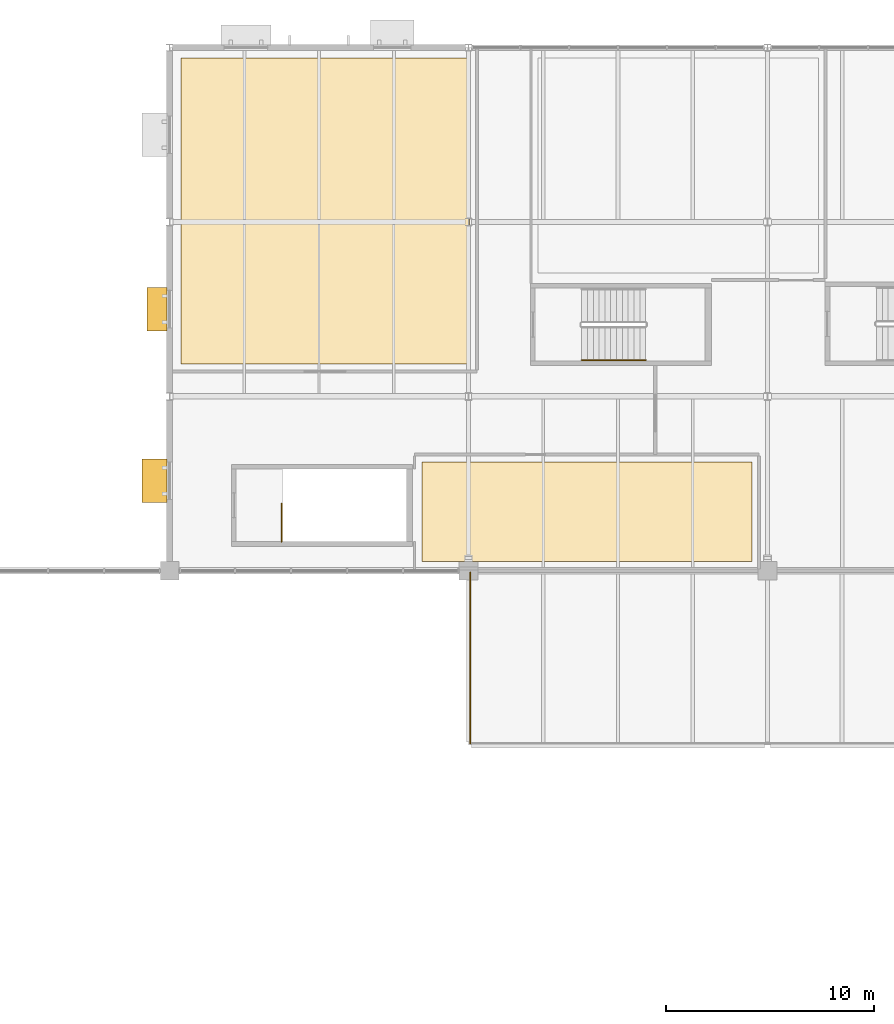
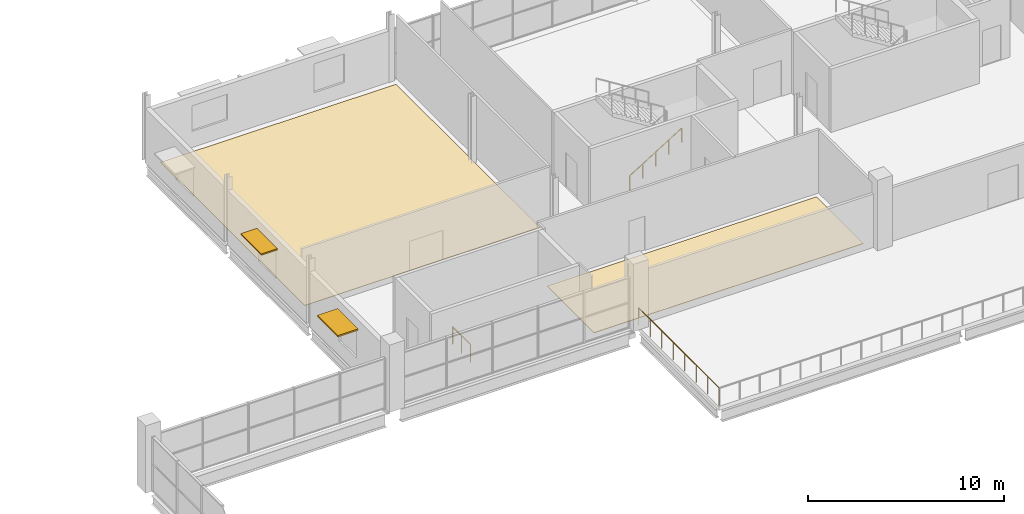
# One storey, part 88 of 93: 3 railings, 2 coverings, 2 shading devices.
"""IFC4 building model written with IfcOpenShell, lengths in metres."""

from ifc_helpers import new_model, si_unit, direction, frame, origin, origin_2d, place, context, subcontext, project, spatial, polyline, rectangle, circle, outline, extrude, material, layer, layer_set, type_object, element, save


model = new_model("IFC4")

# Units and contexts
model_context = context("Model", 3, precision=1e-05, world=origin(), true_north=direction((0.0, 1.0)))
body_context = subcontext(model_context, "Body", "Model", "MODEL_VIEW")
ifc_project = project(units=[si_unit("LENGTHUNIT", "METRE"), si_unit("AREAUNIT", "SQUARE_METRE"), si_unit("VOLUMEUNIT", "CUBIC_METRE"), si_unit("PLANEANGLEUNIT", "RADIAN"), si_unit("MASSUNIT", "GRAM", prefix="KILO"), si_unit("THERMODYNAMICTEMPERATUREUNIT", "KELVIN")], contexts=[model_context])

# Site, building, storey
site_placement = place(None, origin())
site = spatial("IfcSite", under=ifc_project, at=site_placement, CompositionType="ELEMENT")
building_placement = place(site_placement, origin())
building = spatial("IfcBuilding", under=site, at=building_placement, Name="Nduvali Passage Aquatics Centre", CompositionType="ELEMENT")
storey_placement = place(building_placement, frame((0.0, 0.0, 9.0)))
storey = spatial("IfcBuildingStorey", under=building, at=storey_placement, Name="L02", CompositionType="ELEMENT", Elevation=9.0)

# Shading devices
ifc_material_1 = material(Name="Aluminium EN AW-6063 T6", Category="aluminium")
ifc_layer_1 = layer(ifc_material_1, 0.090087890625, Name="Aluminium EN AW-6063 T6")
ifc_layer_set_1 = layer_set([ifc_layer_1], Name="Aluminium EN AW-6063 T6")
shading_device_type_1 = type_object("IfcShadingDeviceType", Name="ENV-SHD-SUN1", PredefinedType="AWNING", material=ifc_layer_set_1)
shading_device_1_placement = place(storey_placement, frame((38.8701171875, 96.737060546875, 2.7548828125), z_axis=(0.0, 0.0, 1.0), x_axis=(0.0, -1.0, 0.0)))
element("IfcShadingDevice", 1, at=shading_device_1_placement, inside=storey, type_object=shading_device_type_1, Name="L02 Horizontal Monsoon Sunshade 0109", PredefinedType="AWNING", context=body_context, shape_type="SweptSolid", body=[
    extrude(rectangle(XDim=2.10009765625, YDim=1.199951171875, at=origin_2d()), origin(), (0.0, 0.0, 1.0), 0.090087890625),
])
ifc_layer_2 = layer(ifc_material_1, 0.080078125, Name="Aluminium EN AW-6063 T6")
ifc_layer_set_2 = layer_set([ifc_layer_2], Name="Aluminium EN AW-6063 T6")
shading_device_type_2 = type_object("IfcShadingDeviceType", Name="ENV-SHD-SUN2", PredefinedType="AWNING", material=ifc_layer_set_2)
shading_device_2_placement = place(storey_placement, frame((38.9951171875, 105.001953125, 2.760009765625), z_axis=(0.0, 0.0, 1.0), x_axis=(0.0, -1.0, 0.0)))
element("IfcShadingDevice", 2, at=shading_device_2_placement, inside=storey, type_object=shading_device_type_2, Name="L02 Horizontal Monsoon Sunshade 0110", PredefinedType="AWNING", context=body_context, shape_type="SweptSolid", body=[
    extrude(rectangle(XDim=2.10009765625, YDim=0.949951171875, at=origin_2d()), origin(), (0.0, 0.0, 1.0), 0.080078125),
])

# Coverings
ifc_material_2 = material(Name="Polished coral-aggregate terrazzo")
ifc_layer_3 = layer(ifc_material_2, 0.030029296875, Name="Polished coral-aggregate terrazzo")
ifc_layer_set_3 = layer_set([ifc_layer_3], Name="Polished coral-aggregate terrazzo")
covering_type = type_object("IfcCoveringType", Name="INT-COV-TERRAZZO", PredefinedType="FLOORING", material=ifc_layer_set_3)
covering_1_placement = place(storey_placement, origin())
element("IfcCovering", 3, at=covering_1_placement, inside=storey, type_object=covering_type, Name="L02 Group Exercise and Aerobics Studio 1 Floor Finish", PredefinedType="FLOORING", context=body_context, shape_type="SweptSolid", body=[
    extrude(outline(polyline([(40.14990234375, 102.35009765625), (54.050048828125, 102.35009765625), (54.050048828125, 117.090087890625), (40.14990234375, 117.090087890625), (40.14990234375, 102.35009765625)])), origin(), (0.0, 0.0, 1.0), 0.030029296875),
])
covering_2_placement = place(storey_placement, origin())
element("IfcCovering", 4, at=covering_2_placement, inside=storey, type_object=covering_type, Name="L02 Mind-Body Pilates and Yoga Studio Floor Finish", PredefinedType="FLOORING", context=body_context, shape_type="SweptSolid", body=[
    extrude(outline(polyline([(51.75, 92.85009765625), (67.64990234375, 92.85009765625), (67.64990234375, 97.64990234375), (51.75, 97.64990234375), (51.75, 92.85009765625)])), origin(), (0.0, 0.0, 1.0), 0.030029296875),
])

# Railings
ifc_material_3 = material(Name="Stainless steel balustrade", Category="steel")
railing_type_1 = type_object("IfcRailingType", Name="INT-RLG-GRD110", PredefinedType="GUARDRAIL", material=ifc_material_3)
railing_1_placement = place(storey_placement, frame((45.0, 93.800048828125, 0.0)))
element("IfcRailing", 5, at=railing_1_placement, inside=storey, type_object=railing_type_1, Name="L02 ST4 top well guard 1", PredefinedType="GUARDRAIL", context=body_context, shape_type="SweptSolid", body=[
    extrude(circle(Radius=0.02392578125, at=origin_2d()), frame((0.0, 0.0, 1.076171875), z_axis=(0.0, 1.0, 0.0), x_axis=(-1.0, 0.0, 0.0)), (0.0, 0.0, 1.0), 1.829833984375),
    extrude(circle(Radius=0.02099609375, at=origin_2d()), origin(), (0.0, 0.0, 1.0), 1.052001953125),
    extrude(circle(Radius=0.02099609375, at=origin_2d()), frame((0.0, 0.9150390625, 0.0)), (0.0, 0.0, 1.0), 1.052001953125),
    extrude(circle(Radius=0.02099609375, at=origin_2d()), frame((0.0, 1.829833984375, 0.0)), (0.0, 0.0, 1.0), 1.052001953125),
])
railing_2_placement = place(storey_placement, frame((54.080078125, 84.080078125, 0.0)))
element("IfcRailing", 6, at=railing_2_placement, inside=storey, type_object=railing_type_1, Name="L02 Media Gallery West End Guard", PredefinedType="GUARDRAIL", context=body_context, shape_type="SweptSolid", body=[
    extrude(circle(Radius=0.02392578125, at=origin_2d()), frame((0.0, 0.0, 1.076171875), z_axis=(0.0, 1.0, 0.0), x_axis=(-1.0, 0.0, 0.0)), (0.0, 0.0, 1.0), 8.239990234375),
    extrude(circle(Radius=0.02099609375, at=origin_2d()), origin(), (0.0, 0.0, 1.0), 1.052001953125),
    extrude(circle(Radius=0.02099609375, at=origin_2d()), frame((0.0, 1.17724609375, 0.0)), (0.0, 0.0, 1.0), 1.052001953125),
    extrude(circle(Radius=0.02099609375, at=origin_2d()), frame((0.0, 2.354248046875, 0.0)), (0.0, 0.0, 1.0), 1.052001953125),
    extrude(circle(Radius=0.02099609375, at=origin_2d()), frame((0.0, 3.531494140625, 0.0)), (0.0, 0.0, 1.0), 1.052001953125),
    extrude(circle(Radius=0.02099609375, at=origin_2d()), frame((0.0, 4.70849609375, 0.0)), (0.0, 0.0, 1.0), 1.052001953125),
    extrude(circle(Radius=0.02099609375, at=origin_2d()), frame((0.0, 5.8857421875, 0.0)), (0.0, 0.0, 1.0), 1.052001953125),
    extrude(circle(Radius=0.02099609375, at=origin_2d()), frame((0.0, 7.062744140625, 0.0)), (0.0, 0.0, 1.0), 1.052001953125),
    extrude(circle(Radius=0.02099609375, at=origin_2d()), frame((0.0, 8.239990234375, 0.0)), (0.0, 0.0, 1.0), 1.052001953125),
])
railing_type_2 = type_object("IfcRailingType", Name="INT-RLG-HND90", PredefinedType="HANDRAIL", material=ifc_material_3)
railing_3_placement = place(storey_placement, frame((59.449951171875, 102.550048828125, 0.353759765625)))
element("IfcRailing", 7, at=railing_3_placement, inside=storey, type_object=railing_type_2, Name="L02 ST3 stair handrail 1", PredefinedType="HANDRAIL", context=body_context, shape_type="SweptSolid", body=[
    extrude(circle(Radius=0.02392578125, at=origin_2d()), frame((0.0, 0.0, 0.8759765625), z_axis=(0.848028513186, 0.0, 0.529950602248), x_axis=(0.0, 1.0, 0.0)), (0.0, 0.0, 1.0), 3.632080078125),
    extrude(circle(Radius=0.02099609375, at=origin_2d()), origin(), (0.0, 0.0, 1.0), 0.851806640625),
    extrude(circle(Radius=0.02099609375, at=origin_2d()), frame((0.77001953125, 0.0, 0.481201171875)), (0.0, 0.0, 1.0), 0.851806640625),
    extrude(circle(Radius=0.02099609375, at=origin_2d()), frame((1.5400390625, 0.0, 0.96240234375)), (0.0, 0.0, 1.0), 0.851806640625),
    extrude(circle(Radius=0.02099609375, at=origin_2d()), frame((2.31005859375, 0.0, 1.443603515625)), (0.0, 0.0, 1.0), 0.851806640625),
    extrude(circle(Radius=0.02099609375, at=origin_2d()), frame((3.080078125, 0.0, 1.9248046875)), (0.0, 0.0, 1.0), 0.851806640625),
])

save(model, "model.ifc")
